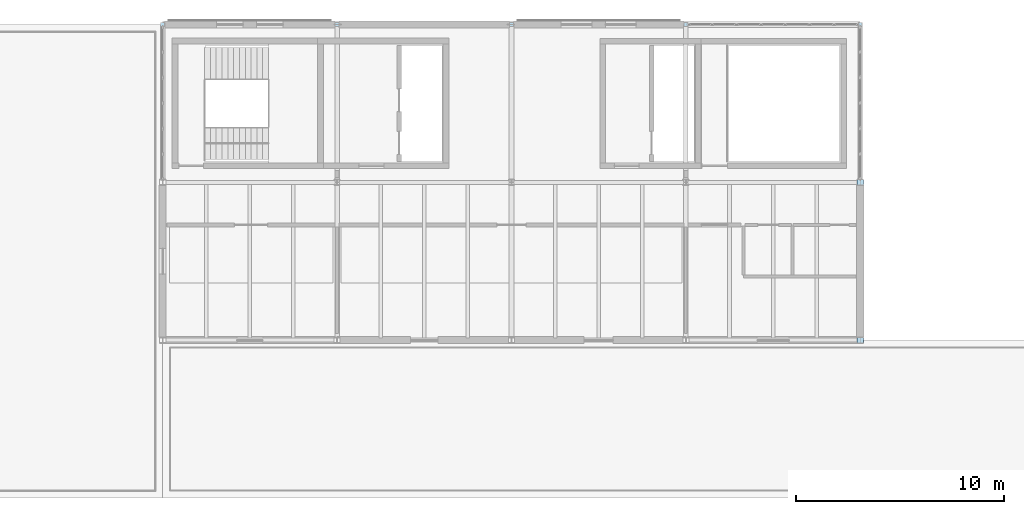
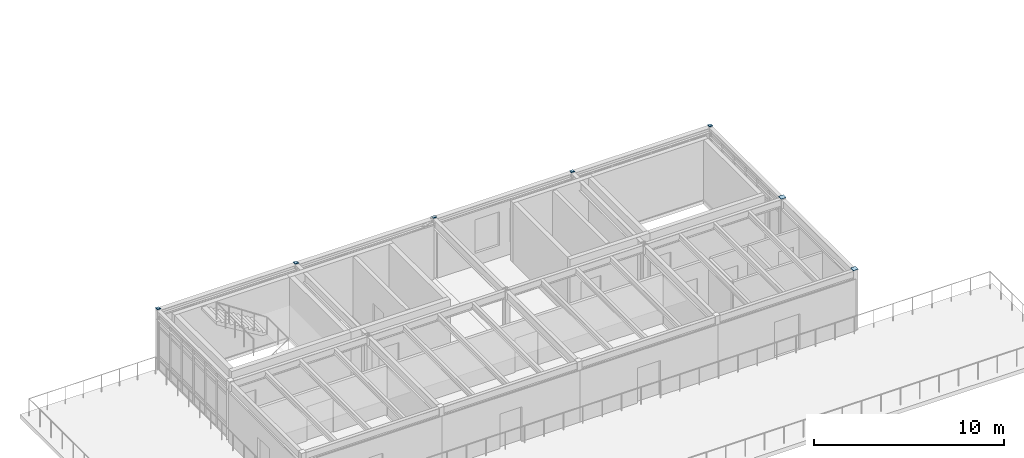
# One storey, part 19 of 26: 7 plates.
"""IFC4 building model written with IfcOpenShell, lengths in metres."""

from ifc_helpers import new_model, si_unit, direction, frame, origin, origin_2d, place, context, subcontext, project, spatial, rectangle, extrude, material, layer, layer_set, type_object, element, save


model = new_model("IFC4")

# Units and contexts
model_context = context("Model", 3, precision=1e-05, world=origin(), true_north=direction((0.0, 1.0)))
body_context = subcontext(model_context, "Body", "Model", "MODEL_VIEW")
ifc_project = project(units=[si_unit("LENGTHUNIT", "METRE"), si_unit("AREAUNIT", "SQUARE_METRE"), si_unit("VOLUMEUNIT", "CUBIC_METRE"), si_unit("PLANEANGLEUNIT", "RADIAN"), si_unit("MASSUNIT", "GRAM", prefix="KILO")], contexts=[model_context])

# Site, building, storey
site_placement = place(None, origin())
site = spatial("IfcSite", under=ifc_project, at=site_placement, CompositionType="ELEMENT")
building_placement = place(site_placement, origin())
building = spatial("IfcBuilding", under=site, at=building_placement, Name="Montecoro Central Library", CompositionType="ELEMENT")
storey_placement = place(building_placement, frame((0.0, 0.0, 21.419921875)))
storey = spatial("IfcBuildingStorey", under=building, at=storey_placement, Name="L05", CompositionType="ELEMENT", Elevation=21.419921875)

# Plates
ifc_material = material(Name="Steel S355", Category="steel")
ifc_layer = layer(ifc_material, 0.01611328125)
ifc_layer_set = layer_set([ifc_layer], Name="Steel S355")
plate_type = type_object("IfcPlateType", Name="PLT-CAP-16", PredefinedType="SHEET", material=ifc_layer_set)
for number, where, z_axis, x_axis, name in (
    (1, (74.800048828125, 119.0, 3.880126953125), (0.0, 0.0, 1.0), (1.0, 0.0, 0.0), "V2-L05-CAPPL-10-R"),
    (2, (83.199951171875, 119.0, 3.880126953125), (0.0, 0.0, 1.0), (1.0, 0.0, 0.0), "V2-L05-CAPPL-11-R"),
    (3, (91.60009765625, 119.0, 3.880126953125), (0.0, 0.0, 1.0), (1.0, 0.0, 0.0), "V2-L05-CAPPL-12-R"),
    (4, (100.0, 119.0, 3.880126953125), (0.0, 0.0, 1.0), (1.0, 0.0, 0.0), "V2-L05-CAPPL-13-R"),
):
    element("IfcPlate", number, at=place(storey_placement, frame(where, z_axis=z_axis, x_axis=x_axis)), inside=storey, type_object=plate_type, Name=name, PredefinedType="SHEET", context=body_context, shape_type="SweptSolid", body=[
        extrude(rectangle(XDim=0.199951171875, YDim=0.199951171875, at=origin_2d()), origin(), (0.0, 0.0, 1.0), 0.01611328125),
    ])
for number, where, z_axis, x_axis, name in (
    (5, (108.39990234375, 103.800048828125, 3.880126953125), (0.0, 0.0, 1.0), (1.0, 0.0, 0.0), "V2-L05-CAPPL-14-P"),
    (6, (108.39990234375, 111.39990234375, 3.880126953125), (0.0, 0.0, 1.0), (1.0, 0.0, 0.0), "V2-L05-CAPPL-14-Q"),
):
    element("IfcPlate", number, at=place(storey_placement, frame(where, z_axis=z_axis, x_axis=x_axis)), inside=storey, type_object=plate_type, Name=name, PredefinedType="SHEET", context=body_context, shape_type="SweptSolid", body=[
        extrude(rectangle(XDim=0.300048828125, YDim=0.300048828125, at=origin_2d()), origin(), (0.0, 0.0, 1.0), 0.01611328125),
    ])
plate_placement = place(storey_placement, frame((108.39990234375, 119.0, 3.880126953125), z_axis=(0.0, 0.0, 1.0), x_axis=(1.0, 0.0, 0.0)))
element("IfcPlate", 7, at=plate_placement, inside=storey, type_object=plate_type, Name="V2-L05-CAPPL-14-R", PredefinedType="SHEET", context=body_context, shape_type="SweptSolid", body=[
    extrude(rectangle(XDim=0.199951171875, YDim=0.199951171875, at=origin_2d()), origin(), (0.0, 0.0, 1.0), 0.01611328125),
])

save(model, "model.ifc")
